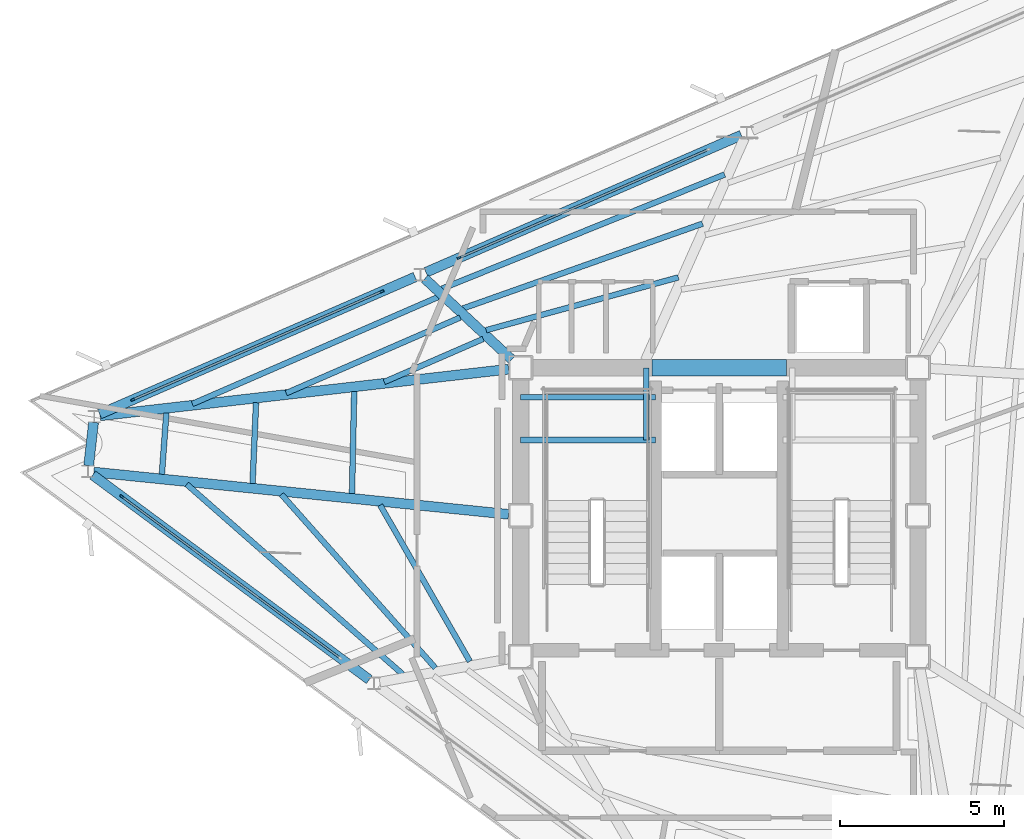
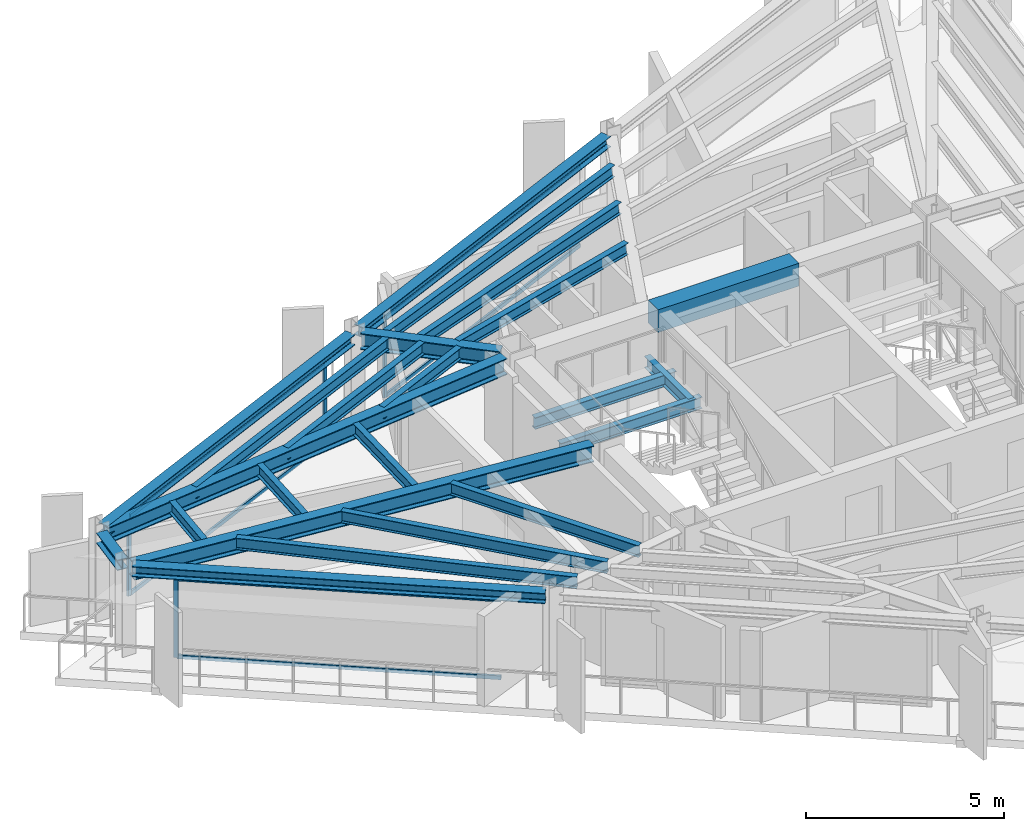
# One storey, part 3 of 10: 23 beams, 10 members, 3 elements without a shape of their own.
"""IFC4 building model written with IfcOpenShell, lengths in metres."""

from ifc_helpers import new_model, si_unit, direction, frame, origin, origin_2d, place, context, subcontext, project, spatial, rectangle, i_section, extrude, material, layer, layer_set, material_profile, profile_set, type_object, element, aggregate, save


model = new_model("IFC4")

# Units and contexts
model_context = context("Model", 3, precision=1e-05, world=origin(), true_north=direction((0.0, 1.0)))
body_context = subcontext(model_context, "Body", "Model", "MODEL_VIEW")
ifc_project = project(units=[si_unit("LENGTHUNIT", "METRE"), si_unit("AREAUNIT", "SQUARE_METRE"), si_unit("VOLUMEUNIT", "CUBIC_METRE"), si_unit("PLANEANGLEUNIT", "RADIAN"), si_unit("MASSUNIT", "GRAM", prefix="KILO")], contexts=[model_context])

# Site, building, storey
site_placement = place(None, origin())
site = spatial("IfcSite", under=ifc_project, at=site_placement, CompositionType="ELEMENT")
building_placement = place(site_placement, origin())
building = spatial("IfcBuilding", under=site, at=building_placement, Name="Rocaltana Carrier Exchange", CompositionType="ELEMENT")
storey_placement = place(building_placement, frame((0.0, 0.0, 217.919921875)))
storey = spatial("IfcBuildingStorey", under=building, at=storey_placement, Name="L69", CompositionType="ELEMENT", Elevation=217.919921875)

# Curtain wall, member
ifc_material_1 = material(Name="Aluminium 6063-T6", Category="aluminium")
ifc_layer = layer(ifc_material_1, 0.1201171875)
ifc_layer_set = layer_set([ifc_layer], Name="Aluminium 6063-T6")
curtain_wall_type = type_object("IfcCurtainWallType", Name="High-Altitude Thermal Curtain Wall CW-05", PredefinedType="NOTDEFINED", material=ifc_layer_set)
curtain_wall_1_placement = place(storey_placement, origin())
curtain_wall_1 = element("IfcCurtainWall", 1, at=curtain_wall_1_placement, inside=storey, type_object=curtain_wall_type, Name="L69 CW-05 Run CW-L69-F2S2", PredefinedType="NOTDEFINED")
ifc_material_2 = material(Name="Aluminium 6063-T6", Category="aluminium")
ifc_material_profile_1 = material_profile(ifc_material_2, rectangle(XDim=0.06005859375, YDim=0.1201171875, at=origin_2d()), Name="AL-60X120")
ifc_profile_set_1 = profile_set([ifc_material_profile_1], Name="Aluminium 6063-T6")
member_type_1 = type_object("IfcMemberType", Name="CW-05 Mullion AL-60X120", PredefinedType="MULLION", material=ifc_profile_set_1)
member_1_placement = place(storey_placement, frame((-7.922607421875, 7.846435546875, 0.0), z_axis=(0.0, 0.0, 1.0), x_axis=(0.398752438254, -0.917058609352, 0.0)))
member_1 = element("IfcMember", 2, at=member_1_placement, type_object=member_type_1, Name="CW-05 mullion 2", PredefinedType="MULLION", context=body_context, shape_type="SweptSolid", body=[
    extrude(rectangle(XDim=0.06005859375, YDim=0.1201171875, at=origin_2d()), origin(), (0.0, 0.0, 1.0), 2.447998046875),
])

# Curtain wall, members
curtain_wall_2_placement = place(storey_placement, origin())
curtain_wall_2 = element("IfcCurtainWall", 3, at=curtain_wall_2_placement, inside=storey, type_object=curtain_wall_type, Name="L69 CW-05 Run CW-L69-F2S3", PredefinedType="NOTDEFINED")
member_2_placement = place(storey_placement, frame((-10.270263671875, 6.82568359375, 0.0), z_axis=(0.0, 0.0, 1.0), x_axis=(0.39875682637, -0.917056701313, 0.0)))
member_2 = element("IfcMember", 4, at=member_2_placement, type_object=member_type_1, Name="CW-05 mullion 1", PredefinedType="MULLION", context=body_context, shape_type="SweptSolid", body=[
    extrude(rectangle(XDim=0.06005859375, YDim=0.1201171875, at=origin_2d()), origin(), (0.0, 0.0, 1.0), 2.447998046875),
])
member_3_placement = place(storey_placement, frame((-17.857421875, 3.526611328125, 0.0), z_axis=(0.0, 0.0, 1.0), x_axis=(0.39875682637, -0.917056701313, 0.0)))
member_3 = element("IfcMember", 5, at=member_3_placement, type_object=member_type_1, Name="CW-05 mullion 2", PredefinedType="MULLION", context=body_context, shape_type="SweptSolid", body=[
    extrude(rectangle(XDim=0.06005859375, YDim=0.1201171875, at=origin_2d()), origin(), (0.0, 0.0, 1.0), 2.447998046875),
])

# Curtain wall, member
curtain_wall_3_placement = place(storey_placement, origin())
curtain_wall_3 = element("IfcCurtainWall", 6, at=curtain_wall_3_placement, inside=storey, type_object=curtain_wall_type, Name="L69 CW-05 Run CW-L69-F3S1", PredefinedType="NOTDEFINED")
member_4_placement = place(storey_placement, frame((-18.19287109375, 0.580810546875, 0.0), z_axis=(0.0, 0.0, 1.0), x_axis=(0.594826566974, 0.803854063386, 0.0)))
member_4 = element("IfcMember", 7, at=member_4_placement, type_object=member_type_1, Name="CW-05 mullion 1", PredefinedType="MULLION", context=body_context, shape_type="SweptSolid", body=[
    extrude(rectangle(XDim=0.06005859375, YDim=0.1201171875, at=origin_2d()), origin(), (0.0, 0.0, 1.0), 2.447998046875),
])

# Member
ifc_material_3 = material(Name="Aluminium 6063-T6", Category="aluminium")
ifc_material_profile_2 = material_profile(ifc_material_3, rectangle(XDim=0.06005859375, YDim=0.1201171875, at=origin_2d()), Name="AL-60X120")
ifc_profile_set_2 = profile_set([ifc_material_profile_2], Name="Aluminium 6063-T6")
member_type_2 = type_object("IfcMemberType", Name="CW-05 Transom AL-60X120", PredefinedType="USERDEFINED", material=ifc_profile_set_2)
member_5_placement = place(storey_placement, frame((-0.36279296875, 11.133544921875, 0.030029296875), z_axis=(-0.917058241688, -0.398753283814, 0.0), x_axis=(0.398753283814, -0.917058241688, 0.0)))
member_5 = element("IfcMember", 8, at=member_5_placement, type_object=member_type_2, Name="CW-05 transom 1.1", ObjectType="TRANSOM", PredefinedType="USERDEFINED", context=body_context, shape_type="SweptSolid", body=[
    extrude(rectangle(XDim=0.06005859375, YDim=0.1201171875, at=origin_2d()), origin(), (0.0, 0.0, 1.0), 8.21337890625),
])

member_6_placement = place(storey_placement, frame((-0.36279296875, 11.133544921875, 2.41796875), z_axis=(-0.917058241688, -0.398753283814, 0.0), x_axis=(0.398753283814, -0.917058241688, 0.0)))
member_6 = element("IfcMember", 9, at=member_6_placement, type_object=member_type_2, Name="CW-05 transom 1.2", ObjectType="TRANSOM", PredefinedType="USERDEFINED", context=body_context, shape_type="SweptSolid", body=[
    extrude(rectangle(XDim=0.06005859375, YDim=0.1201171875, at=origin_2d()), origin(), (0.0, 0.0, 1.0), 8.21337890625),
])

aggregate(curtain_wall_1, [member_1, member_5, member_6])

member_7_placement = place(storey_placement, frame((-10.297607421875, 6.813720703125, 0.030029296875), z_axis=(-0.917058241688, -0.398753283814, 0.0), x_axis=(0.398753283814, -0.917058241688, 0.0)))
member_7 = element("IfcMember", 10, at=member_7_placement, type_object=member_type_2, Name="CW-05 transom 1.1", ObjectType="TRANSOM", PredefinedType="USERDEFINED", context=body_context, shape_type="SweptSolid", body=[
    extrude(rectangle(XDim=0.06005859375, YDim=0.1201171875, at=origin_2d()), origin(), (0.0, 0.0, 1.0), 8.21337890625),
])

member_8_placement = place(storey_placement, frame((-10.297607421875, 6.813720703125, 2.41796875), z_axis=(-0.917058241688, -0.398753283814, 0.0), x_axis=(0.398753283814, -0.917058241688, 0.0)))
member_8 = element("IfcMember", 11, at=member_8_placement, type_object=member_type_2, Name="CW-05 transom 1.2", ObjectType="TRANSOM", PredefinedType="USERDEFINED", context=body_context, shape_type="SweptSolid", body=[
    extrude(rectangle(XDim=0.06005859375, YDim=0.1201171875, at=origin_2d()), origin(), (0.0, 0.0, 1.0), 8.21337890625),
])

aggregate(curtain_wall_2, [member_2, member_3, member_7, member_8])

member_9_placement = place(storey_placement, frame((-18.1689453125, 0.56298828125, 0.030029296875), z_axis=(0.803853553959, -0.594827255418, 0.0), x_axis=(0.594827255418, 0.803853553959, 0.0)))
member_9 = element("IfcMember", 12, at=member_9_placement, type_object=member_type_2, Name="CW-05 transom 1.1", ObjectType="TRANSOM", PredefinedType="USERDEFINED", context=body_context, shape_type="SweptSolid", body=[
    extrude(rectangle(XDim=0.06005859375, YDim=0.1201171875, at=origin_2d()), origin(), (0.0, 0.0, 1.0), 8.21337890625),
])

member_10_placement = place(storey_placement, frame((-18.1689453125, 0.56298828125, 2.41796875), z_axis=(0.803853553959, -0.594827255418, 0.0), x_axis=(0.594827255418, 0.803853553959, 0.0)))
member_10 = element("IfcMember", 13, at=member_10_placement, type_object=member_type_2, Name="CW-05 transom 1.2", ObjectType="TRANSOM", PredefinedType="USERDEFINED", context=body_context, shape_type="SweptSolid", body=[
    extrude(rectangle(XDim=0.06005859375, YDim=0.1201171875, at=origin_2d()), origin(), (0.0, 0.0, 1.0), 8.21337890625),
])

aggregate(curtain_wall_3, [member_4, member_9, member_10])

# Beams
ifc_material_4 = material(Name="Concrete C60/75", Category="concrete")
ifc_material_profile_3 = material_profile(ifc_material_4, rectangle(XDim=0.5, YDim=0.699951171875, at=origin_2d()), Name="RC-BM-500X700")
ifc_profile_set_3 = profile_set([ifc_material_profile_3], Name="Concrete C60/75")
beam_type_1 = type_object("IfcBeamType", Name="Core Coupling Lintel 500x700", PredefinedType="LINTEL", material=ifc_profile_set_3)
beam_1_placement = place(storey_placement, frame((-2.050048828125, 4.5, 2.447998046875), z_axis=(1.0, 0.0, 0.0), x_axis=(0.0, 1.0, 0.0)))
element("IfcBeam", 14, at=beam_1_placement, inside=storey, type_object=beam_type_1, Name="L69 Core Coupling Lintel CL-N", PredefinedType="LINTEL", context=body_context, shape_type="SweptSolid", body=[
    extrude(rectangle(XDim=0.5, YDim=0.699951171875, at=origin_2d()), origin(), (0.0, 0.0, 1.0), 4.10009765625),
])
ifc_material_5 = material(Name="Steel S355", Category="steel")
ifc_material_profile_4 = material_profile(ifc_material_5, i_section(OverallWidth=0.172119140625, OverallDepth=0.35791015625, WebThickness=0.0078125, FlangeThickness=0.01318359375, FilletRadius=0.011962890625, at=origin_2d()), Name="W14X38")
ifc_profile_set_4 = profile_set([ifc_material_profile_4], Name="Steel S355")
beam_type_2 = type_object("IfcBeamType", Name="Floor Joist W14X38", PredefinedType="JOIST", material=ifc_profile_set_4)
for number, where, z_axis, x_axis, name in (
    (15, (-6.050048828125, 2.300048828125, 1.14111328125), (1.0, 0.0, 0.0), (0.0, 1.0, 0.0), "L69 ST-1 Landing Carrier 1"),
    (16, (-6.050048828125, 3.60009765625, 1.14111328125), (1.0, 0.0, 0.0), (0.0, 1.0, 0.0), "L69 ST-1 Landing Carrier 2"),
):
    element("IfcBeam", number, at=place(storey_placement, frame(where, z_axis=z_axis, x_axis=x_axis)), inside=storey, type_object=beam_type_2, Name=name, PredefinedType="JOIST", context=body_context, shape_type="SweptSolid", body=[
        extrude(i_section(OverallWidth=0.172119140625, OverallDepth=0.35791015625, WebThickness=0.0078125, FlangeThickness=0.01318359375, FilletRadius=0.011962890625, at=origin_2d()), origin(), (0.0, 0.0, 1.0), 4.110107421875),
    ])
beam_2_placement = place(storey_placement, frame((-2.219970703125, 2.300048828125, 1.14111328125), z_axis=(0.0, 1.0, 0.0), x_axis=(-1.0, 0.0, 0.0)))
element("IfcBeam", 17, at=beam_2_placement, inside=storey, type_object=beam_type_2, Name="L69 ST-1 Landing Cross Trimmer", PredefinedType="JOIST", context=body_context, shape_type="SweptSolid", body=[
    extrude(i_section(OverallWidth=0.172119140625, OverallDepth=0.35791015625, WebThickness=0.0078125, FlangeThickness=0.01318359375, FilletRadius=0.011962890625, at=origin_2d()), origin(), (0.0, 0.0, 1.0), 2.199951171875),
])
beam_3_placement = place(storey_placement, frame((-1.245361328125, 7.252685546875, 2.619140625), z_axis=(-0.964263719162, -0.26494429586, 0.0), x_axis=(0.26494429586, -0.964263719162, 0.0)))
element("IfcBeam", 18, at=beam_3_placement, inside=storey, type_object=beam_type_2, Name="FJ-L69-06-1", PredefinedType="JOIST", context=body_context, shape_type="SweptSolid", body=[
    extrude(i_section(OverallWidth=0.172119140625, OverallDepth=0.35791015625, WebThickness=0.0078125, FlangeThickness=0.01318359375, FilletRadius=0.011962890625, at=origin_2d()), origin(), (0.0, 0.0, 1.0), 6.07080078125),
])
beam_4_placement = place(storey_placement, frame((-0.5087890625, 8.888427734375, 2.619140625), z_axis=(-0.942681203014, -0.333694695019, 0.0), x_axis=(0.333694695019, -0.942681203014, 0.0)))
element("IfcBeam", 19, at=beam_4_placement, inside=storey, type_object=beam_type_2, Name="FJ-L69-06-2", PredefinedType="JOIST", context=body_context, shape_type="SweptSolid", body=[
    extrude(i_section(OverallWidth=0.172119140625, OverallDepth=0.35791015625, WebThickness=0.0078125, FlangeThickness=0.01318359375, FilletRadius=0.011962890625, at=origin_2d()), origin(), (0.0, 0.0, 1.0), 7.73779296875),
])
beam_5_placement = place(storey_placement, frame((0.162841796875, 10.385498046875, 2.619140625), z_axis=(-0.927185285553, -0.374603051582, 0.0), x_axis=(0.374603051582, -0.927185285553, 0.0)))
element("IfcBeam", 20, at=beam_5_placement, inside=storey, type_object=beam_type_2, Name="FJ-L69-06-3", PredefinedType="JOIST", context=body_context, shape_type="SweptSolid", body=[
    extrude(i_section(OverallWidth=0.172119140625, OverallDepth=0.35791015625, WebThickness=0.0078125, FlangeThickness=0.01318359375, FilletRadius=0.011962890625, at=origin_2d()), origin(), (0.0, 0.0, 1.0), 9.283935546875),
])
beam_6_placement = place(storey_placement, frame((-7.1875, 5.37841796875, 2.619140625), z_axis=(-0.917065332478, -0.398736975923, 0.0), x_axis=(0.398736975923, -0.917065332478, 0.0)))
element("IfcBeam", 21, at=beam_6_placement, inside=storey, type_object=beam_type_2, Name="FJ-L69-07-1", PredefinedType="JOIST", context=body_context, shape_type="SweptSolid", body=[
    extrude(i_section(OverallWidth=0.172119140625, OverallDepth=0.35791015625, WebThickness=0.0078125, FlangeThickness=0.01318359375, FilletRadius=0.011962890625, at=origin_2d()), origin(), (0.0, 0.0, 1.0), 3.286865234375),
])
beam_7_placement = place(storey_placement, frame((-7.887939453125, 6.03076171875, 2.619140625), z_axis=(-0.917067369584, -0.398732290696, 0.0), x_axis=(0.398732290696, -0.917067369584, 0.0)))
element("IfcBeam", 22, at=beam_7_placement, inside=storey, type_object=beam_type_2, Name="FJ-L69-07-2", PredefinedType="JOIST", context=body_context, shape_type="SweptSolid", body=[
    extrude(i_section(OverallWidth=0.172119140625, OverallDepth=0.35791015625, WebThickness=0.0078125, FlangeThickness=0.01318359375, FilletRadius=0.011962890625, at=origin_2d()), origin(), (0.0, 0.0, 1.0), 5.77880859375),
])
beam_8_placement = place(storey_placement, frame((-8.55810546875, 6.65478515625, 2.619140625), z_axis=(-0.917059118447, -0.398751267426, 0.0), x_axis=(0.398751267426, -0.917059118447, 0.0)))
element("IfcBeam", 23, at=beam_8_placement, inside=storey, type_object=beam_type_2, Name="FJ-L69-07-3", PredefinedType="JOIST", context=body_context, shape_type="SweptSolid", body=[
    extrude(i_section(OverallWidth=0.172119140625, OverallDepth=0.35791015625, WebThickness=0.0078125, FlangeThickness=0.01318359375, FilletRadius=0.011962890625, at=origin_2d()), origin(), (0.0, 0.0, 1.0), 8.162109375),
])
beam_9_placement = place(storey_placement, frame((-11.11572265625, 3.77734375, 2.619140625), z_axis=(-0.021897715524, -0.999760216279, 0.0), x_axis=(0.999760216279, -0.021897715524, 0.0)))
element("IfcBeam", 24, at=beam_9_placement, inside=storey, type_object=beam_type_2, Name="FJ-L69-08-1", PredefinedType="JOIST", context=body_context, shape_type="SweptSolid", body=[
    extrude(i_section(OverallWidth=0.172119140625, OverallDepth=0.35791015625, WebThickness=0.0078125, FlangeThickness=0.01318359375, FilletRadius=0.011962890625, at=origin_2d()), origin(), (0.0, 0.0, 1.0), 3.110595703125),
])
beam_10_placement = place(storey_placement, frame((-14.1044921875, 3.436279296875, 2.619140625), z_axis=(-0.04302848557, -0.999073845834, 0.0), x_axis=(0.999073845834, -0.04302848557, 0.0)))
element("IfcBeam", 25, at=beam_10_placement, inside=storey, type_object=beam_type_2, Name="FJ-L69-08-2", PredefinedType="JOIST", context=body_context, shape_type="SweptSolid", body=[
    extrude(i_section(OverallWidth=0.172119140625, OverallDepth=0.35791015625, WebThickness=0.0078125, FlangeThickness=0.01318359375, FilletRadius=0.011962890625, at=origin_2d()), origin(), (0.0, 0.0, 1.0), 2.46240234375),
])
beam_11_placement = place(storey_placement, frame((-16.8349609375, 3.124755859375, 2.619140625), z_axis=(-0.07328566638, -0.997310990165, 0.0), x_axis=(0.997310990165, -0.07328566638, 0.0)))
element("IfcBeam", 26, at=beam_11_placement, inside=storey, type_object=beam_type_2, Name="FJ-L69-08-3", PredefinedType="JOIST", context=body_context, shape_type="SweptSolid", body=[
    extrude(i_section(OverallWidth=0.172119140625, OverallDepth=0.35791015625, WebThickness=0.0078125, FlangeThickness=0.01318359375, FilletRadius=0.011962890625, at=origin_2d()), origin(), (0.0, 0.0, 1.0), 1.872314453125),
])
beam_12_placement = place(storey_placement, frame((-10.3251953125, 0.318115234375, 2.619140625), z_axis=(0.497781973969, -0.867302200153, 0.0), x_axis=(0.867302200153, 0.497781973969, 0.0)))
element("IfcBeam", 27, at=beam_12_placement, inside=storey, type_object=beam_type_2, Name="FJ-L69-09-1", PredefinedType="JOIST", context=body_context, shape_type="SweptSolid", body=[
    extrude(i_section(OverallWidth=0.172119140625, OverallDepth=0.35791015625, WebThickness=0.0078125, FlangeThickness=0.01318359375, FilletRadius=0.011962890625, at=origin_2d()), origin(), (0.0, 0.0, 1.0), 5.48583984375),
])
beam_13_placement = place(storey_placement, frame((-13.330810546875, 0.643798828125, 2.619140625), z_axis=(0.663404294512, -0.748261145605, 0.0), x_axis=(0.748261145605, 0.663404294512, 0.0)))
element("IfcBeam", 28, at=beam_13_placement, inside=storey, type_object=beam_type_2, Name="FJ-L69-09-2", PredefinedType="JOIST", context=body_context, shape_type="SweptSolid", body=[
    extrude(i_section(OverallWidth=0.172119140625, OverallDepth=0.35791015625, WebThickness=0.0078125, FlangeThickness=0.01318359375, FilletRadius=0.011962890625, at=origin_2d()), origin(), (0.0, 0.0, 1.0), 7.063232421875),
])
beam_14_placement = place(storey_placement, frame((-16.2158203125, 0.951904296875, 2.619140625), z_axis=(0.750985569643, -0.66031861566, 0.0), x_axis=(0.66031861566, 0.750985569643, 0.0)))
element("IfcBeam", 29, at=beam_14_placement, inside=storey, type_object=beam_type_2, Name="FJ-L69-09-3", PredefinedType="JOIST", context=body_context, shape_type="SweptSolid", body=[
    extrude(i_section(OverallWidth=0.172119140625, OverallDepth=0.35791015625, WebThickness=0.0078125, FlangeThickness=0.01318359375, FilletRadius=0.011962890625, at=origin_2d()), origin(), (0.0, 0.0, 1.0), 8.7568359375),
])
ifc_material_6 = material(Name="Steel S355", Category="steel")
ifc_material_profile_5 = material_profile(ifc_material_6, i_section(OverallWidth=0.300048828125, OverallDepth=0.320068359375, WebThickness=0.011474609375, FlangeThickness=0.0205078125, FilletRadius=0.027099609375, at=origin_2d()), Name="HEB320")
ifc_profile_set_5 = profile_set([ifc_material_profile_5], Name="Steel S355")
beam_type_3 = type_object("IfcBeamType", Name="Spandrel Edge Beam HEB320", PredefinedType="SPANDREL", material=ifc_profile_set_5)
for number, where, z_axis, x_axis, name in (
    (30, (0.673828125, 11.584228515625, 2.63818359375), (-0.917065980028, -0.398735486602, 0.0), (0.398735486602, -0.917065980028, 0.0), "SP-L69-06"),
    (31, (-9.260986328125, 7.264404296875, 2.63818359375), (-0.917065980028, -0.398735486602, 0.0), (0.398735486602, -0.917065980028, 0.0), "SP-L69-07"),
):
    element("IfcBeam", number, at=place(storey_placement, frame(where, z_axis=z_axis, x_axis=x_axis)), inside=storey, type_object=beam_type_3, Name=name, PredefinedType="SPANDREL", context=body_context, shape_type="SweptSolid", body=[
        extrude(i_section(OverallWidth=0.300048828125, OverallDepth=0.320068359375, WebThickness=0.011474609375, FlangeThickness=0.0205078125, FilletRadius=0.027099609375, at=origin_2d()), origin(), (0.0, 0.0, 1.0), 10.474365234375),
    ])
beam_15_placement = place(storey_placement, frame((-19.051513671875, 2.837890625, 2.63818359375), z_axis=(-0.113240196336, -0.993567641348, 0.0), x_axis=(0.993567641348, -0.113240196336, 0.0)))
element("IfcBeam", 32, at=beam_15_placement, inside=storey, type_object=beam_type_3, Name="SP-L69-08", PredefinedType="SPANDREL", context=body_context, shape_type="SweptSolid", body=[
    extrude(i_section(OverallWidth=0.300048828125, OverallDepth=0.320068359375, WebThickness=0.011474609375, FlangeThickness=0.0205078125, FilletRadius=0.027099609375, at=origin_2d()), origin(), (0.0, 0.0, 1.0), 1.325927734375),
])
beam_16_placement = place(storey_placement, frame((-19.07763671875, 1.2353515625, 2.63818359375), z_axis=(0.803854381492, -0.594826137082, 0.0), x_axis=(0.594826137082, 0.803854381492, 0.0)))
element("IfcBeam", 33, at=beam_16_placement, inside=storey, type_object=beam_type_3, Name="SP-L69-09", PredefinedType="SPANDREL", context=body_context, shape_type="SweptSolid", body=[
    extrude(i_section(OverallWidth=0.300048828125, OverallDepth=0.320068359375, WebThickness=0.011474609375, FlangeThickness=0.0205078125, FilletRadius=0.027099609375, at=origin_2d()), origin(), (0.0, 0.0, 1.0), 10.474365234375),
])
ifc_material_7 = material(Name="Steel S355", Category="steel")
ifc_material_profile_6 = material_profile(ifc_material_7, i_section(OverallWidth=0.300048828125, OverallDepth=0.5, WebThickness=0.014404296875, FlangeThickness=0.028076171875, FilletRadius=0.027099609375, at=origin_2d()), Name="HEB500")
ifc_profile_set_6 = profile_set([ifc_material_profile_6], Name="Steel S355")
beam_type_4 = type_object("IfcBeamType", Name="Upper Radial Girder HEB500", PredefinedType="BEAM", material=ifc_profile_set_6)
beam_17_placement = place(storey_placement, frame((-6.318603515625, 4.75, 2.548095703125), z_axis=(-0.731941582308, 0.681367389951, 0.0), x_axis=(-0.681367389951, -0.731941582308, 0.0)))
element("IfcBeam", 34, at=beam_17_placement, inside=storey, type_object=beam_type_4, Name="RG-L69-07", PredefinedType="BEAM", context=body_context, shape_type="SweptSolid", body=[
    extrude(i_section(OverallWidth=0.300048828125, OverallDepth=0.5, WebThickness=0.014404296875, FlangeThickness=0.028076171875, FilletRadius=0.027099609375, at=origin_2d()), origin(), (0.0, 0.0, 1.0), 3.61572265625),
])
beam_18_placement = place(storey_placement, frame((-6.41455078125, 4.458251953125, 2.548095703125), z_axis=(-0.993531604049, -0.113555941083, 0.0), x_axis=(0.113555941083, -0.993531604049, 0.0)))
element("IfcBeam", 35, at=beam_18_placement, inside=storey, type_object=beam_type_4, Name="RG-L69-08", PredefinedType="BEAM", context=body_context, shape_type="SweptSolid", body=[
    extrude(i_section(OverallWidth=0.300048828125, OverallDepth=0.5, WebThickness=0.014404296875, FlangeThickness=0.028076171875, FilletRadius=0.027099609375, at=origin_2d()), origin(), (0.0, 0.0, 1.0), 12.519287109375),
])
beam_19_placement = place(storey_placement, frame((-6.4150390625, 0.037109375, 2.548095703125), z_axis=(-0.994847848946, 0.10137927524, 0.0), x_axis=(-0.10137927524, -0.994847848946, 0.0)))
element("IfcBeam", 36, at=beam_19_placement, inside=storey, type_object=beam_type_4, Name="RG-L69-09", PredefinedType="BEAM", context=body_context, shape_type="SweptSolid", body=[
    extrude(i_section(OverallWidth=0.300048828125, OverallDepth=0.5, WebThickness=0.014404296875, FlangeThickness=0.028076171875, FilletRadius=0.027099609375, at=origin_2d()), origin(), (0.0, 0.0, 1.0), 12.693603515625),
])

save(model, "model.ifc")
